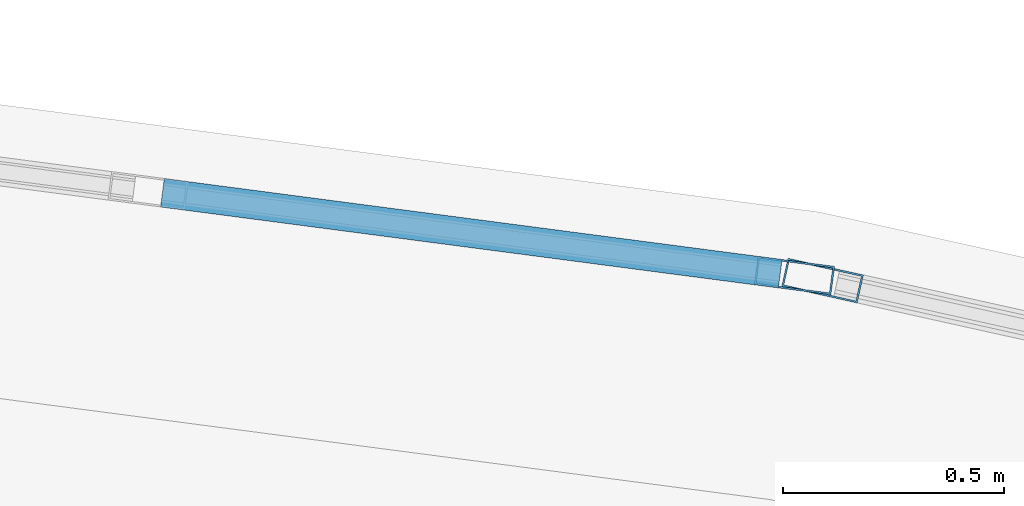
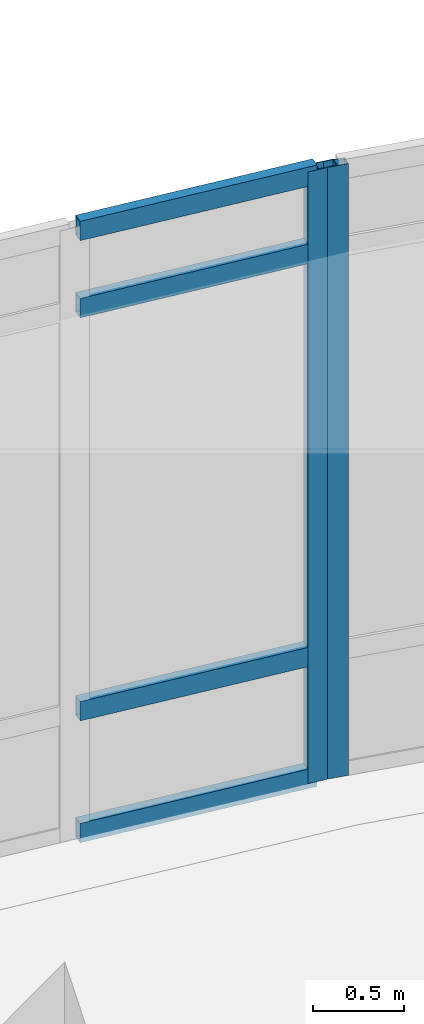
# One storey, part 48 of 142: 6 members, 2 elements without a shape of their own.
"""IFC4 building model written with IfcOpenShell, lengths in metres."""

from ifc_helpers import new_model, si_unit, direction, frame, origin, origin_2d, place, context, subcontext, project, spatial, hollow_rectangle, extrude, material, layer, layer_set, material_profile, profile_set, type_object, element, aggregate, save


model = new_model("IFC4")

# Units and contexts
model_context = context("Model", 3, precision=1e-05, world=origin(), true_north=direction((0.0, 1.0)))
body_context = subcontext(model_context, "Body", "Model", "MODEL_VIEW")
ifc_project = project(units=[si_unit("LENGTHUNIT", "METRE"), si_unit("AREAUNIT", "SQUARE_METRE"), si_unit("VOLUMEUNIT", "CUBIC_METRE"), si_unit("PLANEANGLEUNIT", "RADIAN"), si_unit("MASSUNIT", "GRAM", prefix="KILO")], contexts=[model_context])

# Site, building, storey
site_placement = place(None, origin())
site = spatial("IfcSite", under=ifc_project, at=site_placement, CompositionType="ELEMENT")
building_placement = place(site_placement, origin())
building = spatial("IfcBuilding", under=site, at=building_placement, Name="Valcora Specialist Clinic", CompositionType="ELEMENT")
storey_placement = place(building_placement, frame((0.0, 0.0, 5.10009765625)))
storey = spatial("IfcBuildingStorey", under=building, at=storey_placement, Name="L01", CompositionType="ELEMENT", Elevation=5.10009765625)

# Curtain wall, member
ifc_material = material(Name="Anodized Bronze Aluminium 6063-T6", Category="aluminium")
ifc_layer = layer(ifc_material, 0.175048828125)
ifc_layer_set = layer_set([ifc_layer], Name="Anodized Bronze Aluminium 6063-T6")
curtain_wall_type = type_object("IfcCurtainWallType", Name="TY-CW-ARC44", PredefinedType="NOTDEFINED", material=ifc_layer_set)
curtain_wall_1_placement = place(storey_placement, origin())
curtain_wall_1 = element("IfcCurtainWall", 1, at=curtain_wall_1_placement, inside=storey, type_object=curtain_wall_type, Name="Curtain wall CW-L01-199", PredefinedType="NOTDEFINED")
ifc_material_profile_1 = material_profile(ifc_material, hollow_rectangle(XDim=0.06494140625, YDim=0.175048828125, WallThickness=0.00390625, at=origin_2d()), Name="AL-MUL-65X175")
ifc_profile_set_1 = profile_set([ifc_material_profile_1], Name="Anodized Bronze Aluminium 6063-T6")
member_type_1 = type_object("IfcMemberType", Name="TY-CWM-65X175", PredefinedType="MULLION", material=ifc_profile_set_1)
member_1_placement = place(storey_placement, frame((95.94189453125, 25.08642578125, 0.0), z_axis=(0.0, 0.0, 1.0), x_axis=(0.129999492259, 0.991514060421, 0.0)))
member_1 = element("IfcMember", 2, at=member_1_placement, type_object=member_type_1, Name="CW-ARC-44 mullion 4", PredefinedType="MULLION", context=body_context, shape_type="SweptSolid", body=[
    extrude(hollow_rectangle(XDim=0.06494140625, YDim=0.175048828125, WallThickness=0.00390625, at=origin_2d()), origin(), (0.0, 0.0, 1.0), 4.10498046875),
])

curtain_wall_2_placement = place(storey_placement, origin())
curtain_wall_2 = element("IfcCurtainWall", 3, at=curtain_wall_2_placement, inside=storey, type_object=curtain_wall_type, Name="Curtain wall CW-L01-200", PredefinedType="NOTDEFINED")
member_2_placement = place(storey_placement, frame((96.005615234375, 25.074951171875, 0.0), z_axis=(0.0, 0.0, 1.0), x_axis=(0.216518052372, 0.976278614432, 0.0)))
member_2 = element("IfcMember", 4, at=member_2_placement, type_object=member_type_1, Name="CW-ARC-44 mullion 1", PredefinedType="MULLION", context=body_context, shape_type="SweptSolid", body=[
    extrude(hollow_rectangle(XDim=0.06494140625, YDim=0.175048828125, WallThickness=0.00390625, at=origin_2d()), origin(), (0.0, 0.0, 1.0), 4.10498046875),
])
aggregate(curtain_wall_2, [member_2])

# Member
ifc_material_profile_2 = material_profile(ifc_material, hollow_rectangle(XDim=0.06494140625, YDim=0.1298828125, WallThickness=0.00390625, at=origin_2d()), Name="AL-TRN-65X130")
ifc_profile_set_2 = profile_set([ifc_material_profile_2], Name="Anodized Bronze Aluminium 6063-T6")
member_type_2 = type_object("IfcMemberType", Name="TY-CWT-65X130", PredefinedType="USERDEFINED", material=ifc_profile_set_2)
member_3_placement = place(storey_placement, frame((94.510498046875, 25.27392578125, 0.032470703125), z_axis=(0.991523055248, -0.129930869742, 0.0), x_axis=(0.129930869742, 0.991523055248, 0.0)))
member_3 = element("IfcMember", 5, at=member_3_placement, type_object=member_type_2, Name="CW-ARC-44 transom 3.1", ObjectType="TRANSOM", PredefinedType="USERDEFINED", context=body_context, shape_type="SweptSolid", body=[
    extrude(hollow_rectangle(XDim=0.06494140625, YDim=0.1298828125, WallThickness=0.00390625, at=origin_2d()), origin(), (0.0, 0.0, 1.0), 1.4111328125),
])

member_4_placement = place(storey_placement, frame((94.510498046875, 25.27392578125, 0.849853515625), z_axis=(0.991523055248, -0.129930869742, 0.0), x_axis=(0.129930869742, 0.991523055248, 0.0)))
member_4 = element("IfcMember", 6, at=member_4_placement, type_object=member_type_2, Name="CW-ARC-44 transom 3.2", ObjectType="TRANSOM", PredefinedType="USERDEFINED", context=body_context, shape_type="SweptSolid", body=[
    extrude(hollow_rectangle(XDim=0.06494140625, YDim=0.1298828125, WallThickness=0.00390625, at=origin_2d()), origin(), (0.0, 0.0, 1.0), 1.4111328125),
])

member_5_placement = place(storey_placement, frame((94.510498046875, 25.27392578125, 3.554931640625), z_axis=(0.991523055248, -0.129930869742, 0.0), x_axis=(0.129930869742, 0.991523055248, 0.0)))
member_5 = element("IfcMember", 7, at=member_5_placement, type_object=member_type_2, Name="CW-ARC-44 transom 3.3", ObjectType="TRANSOM", PredefinedType="USERDEFINED", context=body_context, shape_type="SweptSolid", body=[
    extrude(hollow_rectangle(XDim=0.06494140625, YDim=0.1298828125, WallThickness=0.00390625, at=origin_2d()), origin(), (0.0, 0.0, 1.0), 1.4111328125),
])

member_6_placement = place(storey_placement, frame((94.510498046875, 25.27392578125, 4.072509765625), z_axis=(0.991523055248, -0.129930869742, 0.0), x_axis=(0.129930869742, 0.991523055248, 0.0)))
member_6 = element("IfcMember", 8, at=member_6_placement, type_object=member_type_2, Name="CW-ARC-44 transom 3.4", ObjectType="TRANSOM", PredefinedType="USERDEFINED", context=body_context, shape_type="SweptSolid", body=[
    extrude(hollow_rectangle(XDim=0.06494140625, YDim=0.1298828125, WallThickness=0.00390625, at=origin_2d()), origin(), (0.0, 0.0, 1.0), 1.4111328125),
])

aggregate(curtain_wall_1, [member_1, member_3, member_4, member_5, member_6])

save(model, "model.ifc")
